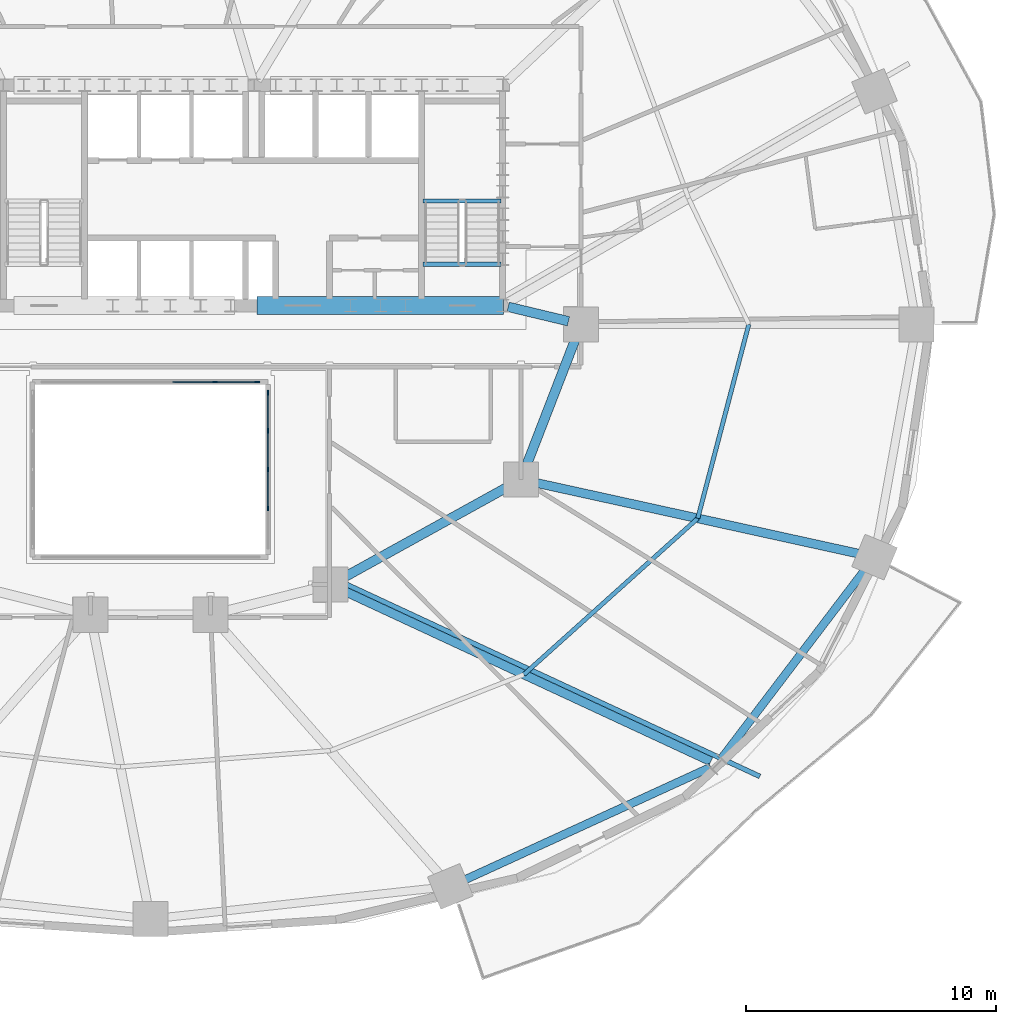
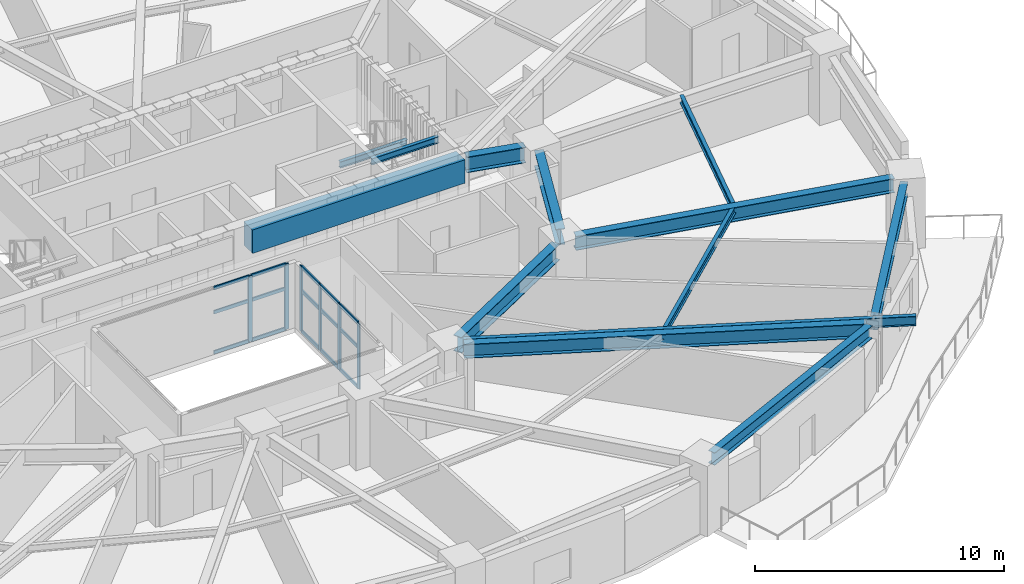
# One storey, part 6 of 17: 21 members, 13 beams, 2 elements without a shape of their own.
"""IFC4 building model written with IfcOpenShell, lengths in metres."""

from ifc_helpers import new_model, si_unit, direction, frame, origin, origin_2d, place, context, subcontext, project, spatial, rectangle, i_section, extrude, material, material_profile, profile_set, type_object, element, aggregate, save


model = new_model("IFC4")

# Units and contexts
model_context = context("Model", 3, precision=1e-05, world=origin(), true_north=direction((0.0, 1.0)))
body_context = subcontext(model_context, "Body", "Model", "MODEL_VIEW")
ifc_project = project(units=[si_unit("LENGTHUNIT", "METRE"), si_unit("AREAUNIT", "SQUARE_METRE"), si_unit("VOLUMEUNIT", "CUBIC_METRE"), si_unit("PLANEANGLEUNIT", "RADIAN"), si_unit("MASSUNIT", "GRAM", prefix="KILO")], contexts=[model_context])

# Site, building, storey
site_placement = place(None, origin())
site = spatial("IfcSite", under=ifc_project, at=site_placement, CompositionType="ELEMENT")
building_placement = place(site_placement, origin())
building = spatial("IfcBuilding", under=site, at=building_placement, Name="Haldorwick Loom Tower", CompositionType="ELEMENT")
storey_placement = place(building_placement, frame((0.0, 0.0, 37.800048828125)))
storey = spatial("IfcBuildingStorey", under=building, at=storey_placement, Name="L09", CompositionType="ELEMENT", Elevation=37.800048828125)

# Curtain wall, members
ifc_material_1 = material(Name="Thermally Broken Anodized Aluminium Curtain Wall Framing", Category="aluminium")
curtain_wall_type = type_object("IfcCurtainWallType", Name="ARC-CW-03", PredefinedType="NOTDEFINED", material=ifc_material_1)
curtain_wall_1_placement = place(storey_placement, origin())
curtain_wall_1 = element("IfcCurtainWall", 1, at=curtain_wall_1_placement, inside=storey, type_object=curtain_wall_type, Name="L09 Atrium Glazed Screen N", PredefinedType="NOTDEFINED")
ifc_material_profile_1 = material_profile(ifc_material_1, rectangle(XDim=0.06591796875, YDim=0.18505859375, at=origin_2d()), Name="ALU_MUL_66X185", Category="aluminium")
ifc_profile_set_1 = profile_set([ifc_material_profile_1], Name="Thermally Broken Anodized Aluminium Curtain Wall Framing")
member_type_1 = type_object("IfcMemberType", Name="ARC-CWM-03", PredefinedType="MULLION", material=ifc_profile_set_1)
member_1_placement = place(storey_placement, frame((38.580078125, 23.699951171875, 0.0), z_axis=(0.0, 0.0, 1.0), x_axis=(0.0, 1.0, 0.0)))
member_1 = element("IfcMember", 2, at=member_1_placement, type_object=member_type_1, Name="CW-03 mullion 5", PredefinedType="MULLION", context=body_context, shape_type="SweptSolid", body=[
    extrude(rectangle(XDim=0.06591796875, YDim=0.18505859375, at=origin_2d()), origin(), (0.0, 0.0, 1.0), 3.2099609375),
])
member_2_placement = place(storey_placement, frame((40.26708984375, 23.699951171875, 0.0), z_axis=(0.0, 0.0, 1.0), x_axis=(0.0, 1.0, 0.0)))
member_2 = element("IfcMember", 3, at=member_2_placement, type_object=member_type_1, Name="CW-03 mullion 6", PredefinedType="MULLION", context=body_context, shape_type="SweptSolid", body=[
    extrude(rectangle(XDim=0.06591796875, YDim=0.18505859375, at=origin_2d()), origin(), (0.0, 0.0, 1.0), 3.2099609375),
])

curtain_wall_2_placement = place(storey_placement, origin())
curtain_wall_2 = element("IfcCurtainWall", 4, at=curtain_wall_2_placement, inside=storey, type_object=curtain_wall_type, Name="L09 Atrium Glazed Screen E", PredefinedType="NOTDEFINED")
member_3_placement = place(storey_placement, frame((40.699951171875, 23.26708984375, 0.0), z_axis=(0.0, 0.0, 1.0), x_axis=(1.0, 0.0, 0.0)))
member_3 = element("IfcMember", 5, at=member_3_placement, type_object=member_type_1, Name="CW-03 mullion 1", PredefinedType="MULLION", context=body_context, shape_type="SweptSolid", body=[
    extrude(rectangle(XDim=0.06591796875, YDim=0.18505859375, at=origin_2d()), origin(), (0.0, 0.0, 1.0), 3.2099609375),
])
member_4_placement = place(storey_placement, frame((40.699951171875, 21.75, 0.0), z_axis=(0.0, 0.0, 1.0), x_axis=(1.0, 0.0, 0.0)))
member_4 = element("IfcMember", 6, at=member_4_placement, type_object=member_type_1, Name="CW-03 mullion 2", PredefinedType="MULLION", context=body_context, shape_type="SweptSolid", body=[
    extrude(rectangle(XDim=0.06591796875, YDim=0.18505859375, at=origin_2d()), origin(), (0.0, 0.0, 1.0), 3.2099609375),
])
member_5_placement = place(storey_placement, frame((40.699951171875, 20.199951171875, 0.0), z_axis=(0.0, 0.0, 1.0), x_axis=(1.0, 0.0, 0.0)))
member_5 = element("IfcMember", 7, at=member_5_placement, type_object=member_type_1, Name="CW-03 mullion 3", PredefinedType="MULLION", context=body_context, shape_type="SweptSolid", body=[
    extrude(rectangle(XDim=0.06591796875, YDim=0.18505859375, at=origin_2d()), origin(), (0.0, 0.0, 1.0), 3.2099609375),
])
member_6_placement = place(storey_placement, frame((40.699951171875, 18.64990234375, 0.0), z_axis=(0.0, 0.0, 1.0), x_axis=(1.0, 0.0, 0.0)))
member_6 = element("IfcMember", 8, at=member_6_placement, type_object=member_type_1, Name="CW-03 mullion 4", PredefinedType="MULLION", context=body_context, shape_type="SweptSolid", body=[
    extrude(rectangle(XDim=0.06591796875, YDim=0.18505859375, at=origin_2d()), origin(), (0.0, 0.0, 1.0), 3.2099609375),
])

# Member
ifc_material_profile_2 = material_profile(ifc_material_1, rectangle(XDim=0.06591796875, YDim=0.1650390625, at=origin_2d()), Name="ALU_TRN_66X165", Category="aluminium")
ifc_profile_set_2 = profile_set([ifc_material_profile_2], Name="Thermally Broken Anodized Aluminium Curtain Wall Framing")
member_type_2 = type_object("IfcMemberType", Name="ARC-CWT-03", PredefinedType="USERDEFINED", material=ifc_profile_set_2)
member_7_placement = place(storey_placement, frame((36.89306640625, 23.699951171875, 0.032958984375), z_axis=(1.0, 0.0, 0.0), x_axis=(0.0, 1.0, 0.0)))
member_7 = element("IfcMember", 9, at=member_7_placement, type_object=member_type_2, Name="CW-03 transom 4.1", ObjectType="TRANSOM", PredefinedType="USERDEFINED", context=body_context, shape_type="SweptSolid", body=[
    extrude(rectangle(XDim=0.06591796875, YDim=0.1650390625, at=origin_2d()), origin(), (0.0, 0.0, 1.0), 1.654052734375),
])

member_8_placement = place(storey_placement, frame((36.89306640625, 23.699951171875, 2.0), z_axis=(1.0, 0.0, 0.0), x_axis=(0.0, 1.0, 0.0)))
member_8 = element("IfcMember", 10, at=member_8_placement, type_object=member_type_2, Name="CW-03 transom 4.2", ObjectType="TRANSOM", PredefinedType="USERDEFINED", context=body_context, shape_type="SweptSolid", body=[
    extrude(rectangle(XDim=0.06591796875, YDim=0.1650390625, at=origin_2d()), origin(), (0.0, 0.0, 1.0), 1.654052734375),
])

member_9_placement = place(storey_placement, frame((36.89306640625, 23.699951171875, 3.177001953125), z_axis=(1.0, 0.0, 0.0), x_axis=(0.0, 1.0, 0.0)))
member_9 = element("IfcMember", 11, at=member_9_placement, type_object=member_type_2, Name="CW-03 transom 4.3", ObjectType="TRANSOM", PredefinedType="USERDEFINED", context=body_context, shape_type="SweptSolid", body=[
    extrude(rectangle(XDim=0.06591796875, YDim=0.1650390625, at=origin_2d()), origin(), (0.0, 0.0, 1.0), 1.654052734375),
])

member_10_placement = place(storey_placement, frame((38.613037109375, 23.699951171875, 0.032958984375), z_axis=(1.0, 0.0, 0.0), x_axis=(0.0, 1.0, 0.0)))
member_10 = element("IfcMember", 12, at=member_10_placement, type_object=member_type_2, Name="CW-03 transom 5.1", ObjectType="TRANSOM", PredefinedType="USERDEFINED", context=body_context, shape_type="SweptSolid", body=[
    extrude(rectangle(XDim=0.06591796875, YDim=0.1650390625, at=origin_2d()), origin(), (0.0, 0.0, 1.0), 1.620849609375),
])

member_11_placement = place(storey_placement, frame((38.613037109375, 23.699951171875, 2.0), z_axis=(1.0, 0.0, 0.0), x_axis=(0.0, 1.0, 0.0)))
member_11 = element("IfcMember", 13, at=member_11_placement, type_object=member_type_2, Name="CW-03 transom 5.2", ObjectType="TRANSOM", PredefinedType="USERDEFINED", context=body_context, shape_type="SweptSolid", body=[
    extrude(rectangle(XDim=0.06591796875, YDim=0.1650390625, at=origin_2d()), origin(), (0.0, 0.0, 1.0), 1.620849609375),
])

member_12_placement = place(storey_placement, frame((38.613037109375, 23.699951171875, 3.177001953125), z_axis=(1.0, 0.0, 0.0), x_axis=(0.0, 1.0, 0.0)))
member_12 = element("IfcMember", 14, at=member_12_placement, type_object=member_type_2, Name="CW-03 transom 5.3", ObjectType="TRANSOM", PredefinedType="USERDEFINED", context=body_context, shape_type="SweptSolid", body=[
    extrude(rectangle(XDim=0.06591796875, YDim=0.1650390625, at=origin_2d()), origin(), (0.0, 0.0, 1.0), 1.620849609375),
])

aggregate(curtain_wall_1, [member_1, member_2, member_7, member_8, member_9, member_10, member_11, member_12])

member_13_placement = place(storey_placement, frame((40.699951171875, 23.23388671875, 0.032958984375), z_axis=(0.0, -1.0, 0.0), x_axis=(1.0, 0.0, 0.0)))
member_13 = element("IfcMember", 15, at=member_13_placement, type_object=member_type_2, Name="CW-03 transom 1.1", ObjectType="TRANSOM", PredefinedType="USERDEFINED", context=body_context, shape_type="SweptSolid", body=[
    extrude(rectangle(XDim=0.06591796875, YDim=0.1650390625, at=origin_2d()), origin(), (0.0, 0.0, 1.0), 1.450927734375),
])

member_14_placement = place(storey_placement, frame((40.699951171875, 23.23388671875, 2.0), z_axis=(0.0, -1.0, 0.0), x_axis=(1.0, 0.0, 0.0)))
member_14 = element("IfcMember", 16, at=member_14_placement, type_object=member_type_2, Name="CW-03 transom 1.2", ObjectType="TRANSOM", PredefinedType="USERDEFINED", context=body_context, shape_type="SweptSolid", body=[
    extrude(rectangle(XDim=0.06591796875, YDim=0.1650390625, at=origin_2d()), origin(), (0.0, 0.0, 1.0), 1.450927734375),
])

member_15_placement = place(storey_placement, frame((40.699951171875, 23.23388671875, 3.177001953125), z_axis=(0.0, -1.0, 0.0), x_axis=(1.0, 0.0, 0.0)))
member_15 = element("IfcMember", 17, at=member_15_placement, type_object=member_type_2, Name="CW-03 transom 1.3", ObjectType="TRANSOM", PredefinedType="USERDEFINED", context=body_context, shape_type="SweptSolid", body=[
    extrude(rectangle(XDim=0.06591796875, YDim=0.1650390625, at=origin_2d()), origin(), (0.0, 0.0, 1.0), 1.450927734375),
])

member_16_placement = place(storey_placement, frame((40.699951171875, 21.717041015625, 0.032958984375), z_axis=(0.0, -1.0, 0.0), x_axis=(1.0, 0.0, 0.0)))
member_16 = element("IfcMember", 18, at=member_16_placement, type_object=member_type_2, Name="CW-03 transom 2.1", ObjectType="TRANSOM", PredefinedType="USERDEFINED", context=body_context, shape_type="SweptSolid", body=[
    extrude(rectangle(XDim=0.06591796875, YDim=0.1650390625, at=origin_2d()), origin(), (0.0, 0.0, 1.0), 1.484130859375),
])

member_17_placement = place(storey_placement, frame((40.699951171875, 21.717041015625, 2.0), z_axis=(0.0, -1.0, 0.0), x_axis=(1.0, 0.0, 0.0)))
member_17 = element("IfcMember", 19, at=member_17_placement, type_object=member_type_2, Name="CW-03 transom 2.2", ObjectType="TRANSOM", PredefinedType="USERDEFINED", context=body_context, shape_type="SweptSolid", body=[
    extrude(rectangle(XDim=0.06591796875, YDim=0.1650390625, at=origin_2d()), origin(), (0.0, 0.0, 1.0), 1.484130859375),
])

member_18_placement = place(storey_placement, frame((40.699951171875, 21.717041015625, 3.177001953125), z_axis=(0.0, -1.0, 0.0), x_axis=(1.0, 0.0, 0.0)))
member_18 = element("IfcMember", 20, at=member_18_placement, type_object=member_type_2, Name="CW-03 transom 2.3", ObjectType="TRANSOM", PredefinedType="USERDEFINED", context=body_context, shape_type="SweptSolid", body=[
    extrude(rectangle(XDim=0.06591796875, YDim=0.1650390625, at=origin_2d()), origin(), (0.0, 0.0, 1.0), 1.484130859375),
])

member_19_placement = place(storey_placement, frame((40.699951171875, 20.1669921875, 0.032958984375), z_axis=(0.0, -1.0, 0.0), x_axis=(1.0, 0.0, 0.0)))
member_19 = element("IfcMember", 21, at=member_19_placement, type_object=member_type_2, Name="CW-03 transom 3.1", ObjectType="TRANSOM", PredefinedType="USERDEFINED", context=body_context, shape_type="SweptSolid", body=[
    extrude(rectangle(XDim=0.06591796875, YDim=0.1650390625, at=origin_2d()), origin(), (0.0, 0.0, 1.0), 1.48388671875),
])

member_20_placement = place(storey_placement, frame((40.699951171875, 20.1669921875, 2.0), z_axis=(0.0, -1.0, 0.0), x_axis=(1.0, 0.0, 0.0)))
member_20 = element("IfcMember", 22, at=member_20_placement, type_object=member_type_2, Name="CW-03 transom 3.2", ObjectType="TRANSOM", PredefinedType="USERDEFINED", context=body_context, shape_type="SweptSolid", body=[
    extrude(rectangle(XDim=0.06591796875, YDim=0.1650390625, at=origin_2d()), origin(), (0.0, 0.0, 1.0), 1.48388671875),
])

member_21_placement = place(storey_placement, frame((40.699951171875, 20.1669921875, 3.177001953125), z_axis=(0.0, -1.0, 0.0), x_axis=(1.0, 0.0, 0.0)))
member_21 = element("IfcMember", 23, at=member_21_placement, type_object=member_type_2, Name="CW-03 transom 3.3", ObjectType="TRANSOM", PredefinedType="USERDEFINED", context=body_context, shape_type="SweptSolid", body=[
    extrude(rectangle(XDim=0.06591796875, YDim=0.1650390625, at=origin_2d()), origin(), (0.0, 0.0, 1.0), 1.48388671875),
])

aggregate(curtain_wall_2, [member_3, member_4, member_5, member_6, member_13, member_14, member_15, member_16, member_17, member_18, member_19, member_20, member_21])

# Beams
ifc_material_2 = material(Name="Steel CSA G40.21 350W", Category="steel")
ifc_material_profile_3 = material_profile(ifc_material_2, i_section(OverallWidth=0.193115234375, OverallDepth=0.466064453125, WebThickness=0.011474609375, FlangeThickness=0.01904296875, at=origin_2d()), Name="W460X97", Category="steel")
ifc_profile_set_3 = profile_set([ifc_material_profile_3], Name="Steel CSA G40.21 350W")
beam_type_1 = type_object("IfcBeamType", Name="STR-BM-BAL460", PredefinedType="BEAM", material=ifc_profile_set_3)
beam_1_placement = place(storey_placement, frame((43.78955078125, 15.634765625, 2.97705078125), z_axis=(0.906835669686, -0.42148436292, 0.0), x_axis=(0.42148436292, 0.906835669686, 0.0)))
element("IfcBeam", 24, at=beam_1_placement, inside=storey, type_object=beam_type_1, Name="L09 Continuous Back-Spanned Balcony Beam 1", PredefinedType="BEAM", context=body_context, shape_type="SweptSolid", body=[
    extrude(i_section(OverallWidth=0.193115234375, OverallDepth=0.466064453125, WebThickness=0.011474609375, FlangeThickness=0.01904296875, at=origin_2d()), origin(), (0.0, 0.0, 1.0), 18.245361328125),
])
ifc_material_3 = material(Name="Concrete C60 (60 MPa)", Category="concrete")
ifc_material_profile_4 = material_profile(ifc_material_3, rectangle(XDim=0.699951171875, YDim=1.14990234375, at=origin_2d()), Name="RC700X1150", Category="concrete")
ifc_profile_set_4 = profile_set([ifc_material_profile_4], Name="Concrete C60 (60 MPa)")
beam_type_2 = type_object("IfcBeamType", Name="STR-BM-CB1150", PredefinedType="LINTEL", material=ifc_profile_set_4)
beam_2_placement = place(storey_placement, frame((40.25, 26.75, 2.635009765625), z_axis=(1.0, 0.0, 0.0), x_axis=(0.0, 1.0, 0.0)))
element("IfcBeam", 25, at=beam_2_placement, inside=storey, type_object=beam_type_2, Name="L09 Core Coupling Beam CB-S3", PredefinedType="LINTEL", context=body_context, shape_type="SweptSolid", body=[
    extrude(rectangle(XDim=0.699951171875, YDim=1.14990234375, at=origin_2d()), origin(), (0.0, 0.0, 1.0), 9.85009765625),
])
ifc_material_profile_5 = material_profile(ifc_material_2, i_section(OverallWidth=0.172119140625, OverallDepth=0.35791015625, WebThickness=0.0078125, FlangeThickness=0.01318359375, at=origin_2d()), Name="W360X57", Category="steel")
ifc_profile_set_5 = profile_set([ifc_material_profile_5], Name="Steel CSA G40.21 350W")
beam_type_3 = type_object("IfcBeamType", Name="STR-BM-J360", PredefinedType="JOIST", material=ifc_profile_set_5)
beam_3_placement = place(storey_placement, frame((50.9150390625, 12.01416015625, 3.031005859375), z_axis=(0.743981830112, 0.668199847698, 0.0), x_axis=(-0.668199847698, 0.743981830112, 0.0)))
element("IfcBeam", 26, at=beam_3_placement, inside=storey, type_object=beam_type_3, Name="L09 Mid-Bay Secondary Joist 15", PredefinedType="JOIST", context=body_context, shape_type="SweptSolid", body=[
    extrude(i_section(OverallWidth=0.172119140625, OverallDepth=0.35791015625, WebThickness=0.0078125, FlangeThickness=0.01318359375, at=origin_2d()), origin(), (0.0, 0.0, 1.0), 9.3330078125),
])
beam_4_placement = place(storey_placement, frame((57.858642578125, 18.25048828125, 3.031005859375), z_axis=(0.2544888003, 0.967075721193, 0.0), x_axis=(-0.967075721193, 0.2544888003, 0.0)))
element("IfcBeam", 27, at=beam_4_placement, inside=storey, type_object=beam_type_3, Name="L09 Mid-Bay Secondary Joist 16", PredefinedType="JOIST", context=body_context, shape_type="SweptSolid", body=[
    extrude(i_section(OverallWidth=0.172119140625, OverallDepth=0.35791015625, WebThickness=0.0078125, FlangeThickness=0.01318359375, at=origin_2d()), origin(), (0.0, 0.0, 1.0), 8.013427734375),
])
ifc_material_profile_6 = material_profile(ifc_material_2, i_section(OverallWidth=0.324951171875, OverallDepth=0.615966796875, WebThickness=0.013916015625, FlangeThickness=0.021484375, at=origin_2d()), Name="W610X174", Category="steel")
ifc_profile_set_6 = profile_set([ifc_material_profile_6], Name="Steel CSA G40.21 350W")
beam_type_4 = type_object("IfcBeamType", Name="STR-BM-SP610", PredefinedType="SPANDREL", material=ifc_profile_set_6)
beam_5_placement = place(storey_placement, frame((48.45068359375, 3.76611328125, 2.90185546875), z_axis=(0.909173805321, 0.416416848504, 0.0), x_axis=(-0.416416848504, 0.909173805321, 0.0)))
element("IfcBeam", 28, at=beam_5_placement, inside=storey, type_object=beam_type_4, Name="L09 Perimeter Spandrel 14", PredefinedType="SPANDREL", context=body_context, shape_type="SweptSolid", body=[
    extrude(i_section(OverallWidth=0.324951171875, OverallDepth=0.615966796875, WebThickness=0.013916015625, FlangeThickness=0.021484375, at=origin_2d()), origin(), (0.0, 0.0, 1.0), 10.92138671875),
])
beam_6_placement = place(storey_placement, frame((58.796630859375, 8.647216796875, 2.90185546875), z_axis=(0.605084557744, 0.796161213562, 0.0), x_axis=(-0.796161213562, 0.605084557744, 0.0)))
element("IfcBeam", 29, at=beam_6_placement, inside=storey, type_object=beam_type_4, Name="L09 Perimeter Spandrel 15", PredefinedType="SPANDREL", context=body_context, shape_type="SweptSolid", body=[
    extrude(i_section(OverallWidth=0.324951171875, OverallDepth=0.615966796875, WebThickness=0.013916015625, FlangeThickness=0.021484375, at=origin_2d()), origin(), (0.0, 0.0, 1.0), 9.595703125),
])
ifc_material_profile_7 = material_profile(ifc_material_2, i_section(OverallWidth=0.166015625, OverallDepth=0.31298828125, WebThickness=0.006591796875, FlangeThickness=0.01123046875, at=origin_2d()), Name="W310X45", Category="steel")
ifc_profile_set_7 = profile_set([ifc_material_profile_7], Name="Steel CSA G40.21 350W")
beam_type_5 = type_object("IfcBeamType", Name="STR-BM-STRM", PredefinedType="BEAM", material=ifc_profile_set_7)
for number, where, z_axis, x_axis, name in (
    (30, (46.889892578125, 28.39990234375, 3.053466796875), (1.0, 0.0, 0.0), (0.0, 1.0, 0.0), "L09 Stair ST-02 Landing Edge Trimmer"),
    (31, (46.889892578125, 30.919921875, 1.368408203125), (1.0, 0.0, 0.0), (0.0, 1.0, 0.0), "L09 Stair ST-02 Half-Landing Trimmer 1"),
):
    element("IfcBeam", number, at=place(storey_placement, frame(where, z_axis=z_axis, x_axis=x_axis)), inside=storey, type_object=beam_type_5, Name=name, PredefinedType="BEAM", context=body_context, shape_type="SweptSolid", body=[
        extrude(i_section(OverallWidth=0.166015625, OverallDepth=0.31298828125, WebThickness=0.006591796875, FlangeThickness=0.01123046875, at=origin_2d()), origin(), (0.0, 0.0, 1.0), 3.1201171875),
    ])
ifc_material_profile_8 = material_profile(ifc_material_2, i_section(OverallWidth=0.35498046875, OverallDepth=0.695068359375, WebThickness=0.015380859375, FlangeThickness=0.02490234375, at=origin_2d()), Name="W690X217", Category="steel")
ifc_profile_set_8 = profile_set([ifc_material_profile_8], Name="Steel CSA G40.21 350W")
beam_type_6 = type_object("IfcBeamType", Name="STR-BM-W690", PredefinedType="BEAM", material=ifc_profile_set_8)
beam_7_placement = place(storey_placement, frame((43.671630859375, 15.380859375, 2.862548828125), z_axis=(0.90683498532, -0.421485835349, 0.0), x_axis=(0.421485835349, 0.90683498532, 0.0)))
element("IfcBeam", 32, at=beam_7_placement, inside=storey, type_object=beam_type_6, Name="L09 Radial Floor Girder 15", PredefinedType="BEAM", context=body_context, shape_type="SweptSolid", body=[
    extrude(i_section(OverallWidth=0.35498046875, OverallDepth=0.695068359375, WebThickness=0.015380859375, FlangeThickness=0.02490234375, at=origin_2d()), origin(), (0.0, 0.0, 1.0), 16.220458984375),
])
beam_8_placement = place(storey_placement, frame((51.307861328125, 19.6884765625, 2.862548828125), z_axis=(0.976740159434, -0.214426353203, 0.0), x_axis=(0.214426353203, 0.976740159434, 0.0)))
element("IfcBeam", 33, at=beam_8_placement, inside=storey, type_object=beam_type_6, Name="L09 Radial Floor Girder 16", PredefinedType="BEAM", context=body_context, shape_type="SweptSolid", body=[
    extrude(i_section(OverallWidth=0.35498046875, OverallDepth=0.695068359375, WebThickness=0.015380859375, FlangeThickness=0.02490234375, at=origin_2d()), origin(), (0.0, 0.0, 1.0), 13.41357421875),
])
ifc_material_profile_9 = material_profile(ifc_material_2, i_section(OverallWidth=0.381103515625, OverallDepth=0.77294921875, WebThickness=0.0166015625, FlangeThickness=0.027587890625, at=origin_2d()), Name="W760X257", Category="steel")
ifc_profile_set_9 = profile_set([ifc_material_profile_9], Name="Steel CSA G40.21 350W")
beam_type_7 = type_object("IfcBeamType", Name="STR-BM-W760", PredefinedType="BEAM", material=ifc_profile_set_9)
beam_9_placement = place(storey_placement, frame((50.288818359375, 26.697509765625, 2.823486328125), z_axis=(0.97247055837, -0.233025777764, 0.0), x_axis=(0.233025777764, 0.97247055837, 0.0)))
element("IfcBeam", 34, at=beam_9_placement, inside=storey, type_object=beam_type_7, Name="L09 Inner Ring Girder 1", PredefinedType="BEAM", context=body_context, shape_type="SweptSolid", body=[
    extrude(i_section(OverallWidth=0.381103515625, OverallDepth=0.77294921875, WebThickness=0.0166015625, FlangeThickness=0.027587890625, at=origin_2d()), origin(), (0.0, 0.0, 1.0), 2.4736328125),
])
beam_10_placement = place(storey_placement, frame((53.01220703125, 25.51513671875, 2.823486328125), z_axis=(-0.360964792353, -0.93257944363, 0.0), x_axis=(0.93257944363, -0.360964792353, 0.0)))
element("IfcBeam", 35, at=beam_10_placement, inside=storey, type_object=beam_type_7, Name="L09 Inner Ring Girder 2", PredefinedType="BEAM", context=body_context, shape_type="SweptSolid", body=[
    extrude(i_section(OverallWidth=0.381103515625, OverallDepth=0.77294921875, WebThickness=0.0166015625, FlangeThickness=0.027587890625, at=origin_2d()), origin(), (0.0, 0.0, 1.0), 5.6083984375),
])
beam_11_placement = place(storey_placement, frame((50.344970703125, 19.548583984375, 2.823486328125), z_axis=(-0.875244382146, -0.483680960471, 0.0), x_axis=(0.483680960471, -0.875244382146, 0.0)))
element("IfcBeam", 36, at=beam_11_placement, inside=storey, type_object=beam_type_7, Name="L09 Inner Ring Girder 3", PredefinedType="BEAM", context=body_context, shape_type="SweptSolid", body=[
    extrude(i_section(OverallWidth=0.381103515625, OverallDepth=0.77294921875, WebThickness=0.0166015625, FlangeThickness=0.027587890625, at=origin_2d()), origin(), (0.0, 0.0, 1.0), 7.6435546875),
])

save(model, "model.ifc")
